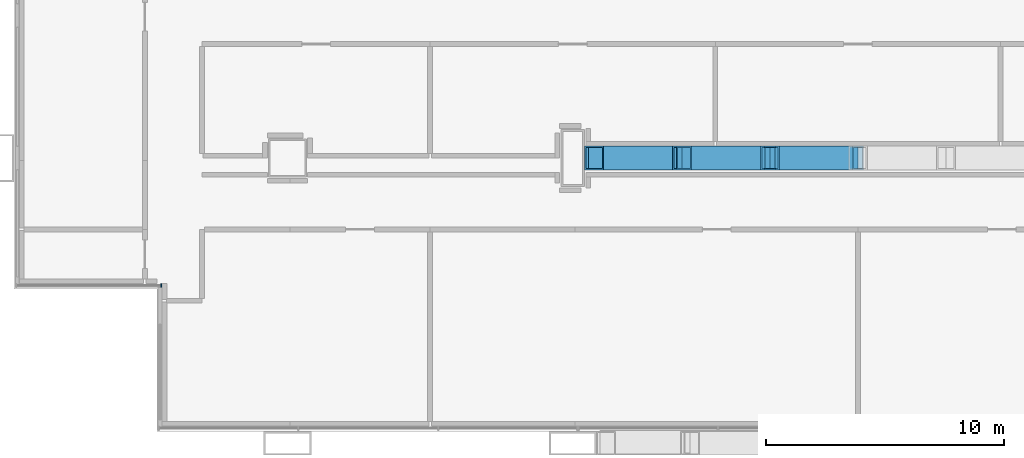
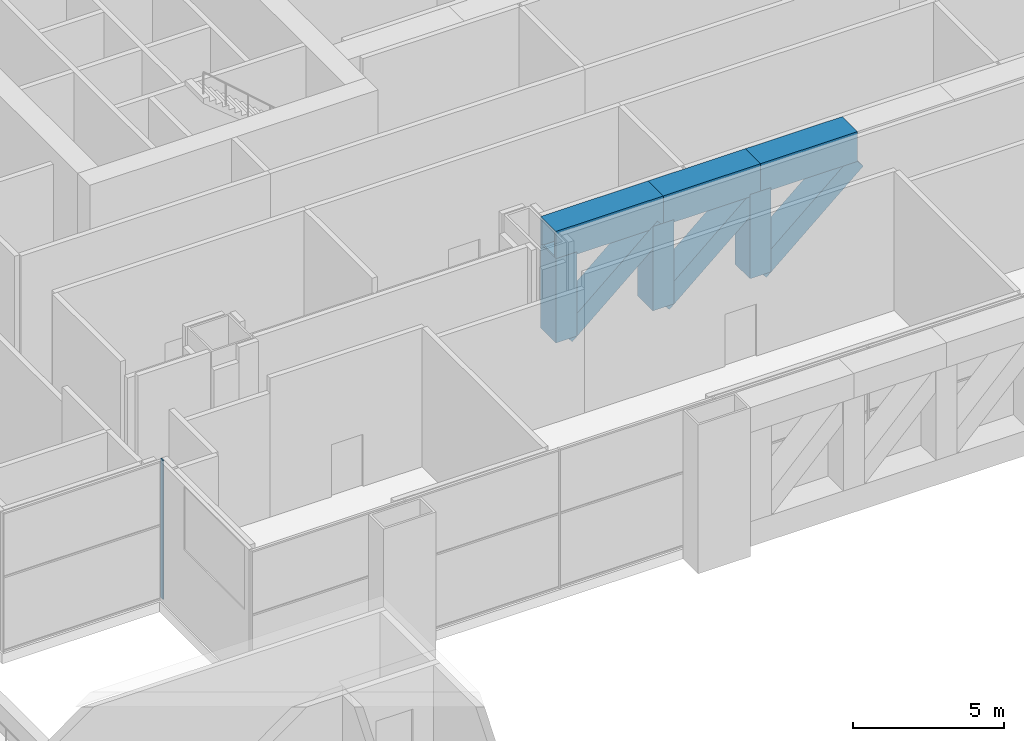
# One storey, part 7 of 27: 7 members, 3 beams, 1 element without a shape of its own.
"""IFC4 building model written with IfcOpenShell, lengths in metres."""

from ifc_helpers import new_model, si_unit, direction, frame, origin, origin_2d, place, context, subcontext, project, spatial, rectangle, hollow_rectangle, extrude, material, material_profile, profile_set, type_object, element, aggregate, save


model = new_model("IFC4")

# Units and contexts
model_context = context("Model", 3, precision=1e-05, world=origin(), true_north=direction((0.0, 1.0)))
body_context = subcontext(model_context, "Body", "Model", "MODEL_VIEW")
ifc_project = project(units=[si_unit("LENGTHUNIT", "METRE"), si_unit("AREAUNIT", "SQUARE_METRE"), si_unit("VOLUMEUNIT", "CUBIC_METRE"), si_unit("PLANEANGLEUNIT", "RADIAN"), si_unit("MASSUNIT", "GRAM", prefix="KILO")], contexts=[model_context])

# Site, building, storey
site_placement = place(None, origin())
site = spatial("IfcSite", under=ifc_project, at=site_placement, CompositionType="ELEMENT")
building_placement = place(site_placement, origin())
building = spatial("IfcBuilding", under=site, at=building_placement, Name="Kitamizu Gate Tower and Museum", CompositionType="ELEMENT")
storey_placement = place(building_placement, frame((0.0, 0.0, 24.0)))
storey = spatial("IfcBuildingStorey", under=building, at=storey_placement, Name="L04", CompositionType="ELEMENT", Elevation=24.0)

# Curtain wall, member
ifc_material_1 = material(Name="Bronze anodised aluminium frame, tinted triple glazing", Category="aluminium")
curtain_wall_type = type_object("IfcCurtainWallType", Name="CURTAIN WALL TYPE F TRANSFER STOREY", PredefinedType="NOTDEFINED", material=ifc_material_1)
curtain_wall_placement = place(storey_placement, origin())
curtain_wall = element("IfcCurtainWall", 1, at=curtain_wall_placement, inside=storey, type_object=curtain_wall_type, Name="Curtain wall CW-F south L04", PredefinedType="NOTDEFINED")
ifc_material_2 = material(Name="Bronze anodised aluminium", Category="aluminium")
ifc_material_profile_1 = material_profile(ifc_material_2, rectangle(XDim=0.050048828125, YDim=0.14990234375, at=origin_2d()), Name="AL 50X150")
ifc_profile_set_1 = profile_set([ifc_material_profile_1], Name="Bronze anodised aluminium")
member_type_1 = type_object("IfcMemberType", Name="MULLION 50 X 150 TYPE F", PredefinedType="MULLION", material=ifc_profile_set_1)
member_placement = place(storey_placement, frame((6.68505859375, 6.635009765625, 0.0), z_axis=(0.0, 0.0, 1.0), x_axis=(1.0, 0.0, 0.0)))
member = element("IfcMember", 2, at=member_placement, type_object=member_type_1, Name="CW-F mullion 2", PredefinedType="MULLION", context=body_context, shape_type="SweptSolid", body=[
    extrude(rectangle(XDim=0.050048828125, YDim=0.14990234375, at=origin_2d()), origin(), (0.0, 0.0, 1.0), 5.60009765625),
])
aggregate(curtain_wall, [member])

# Beams
ifc_material_3 = material(Name="Steel SM490A", Category="steel")
ifc_material_profile_2 = material_profile(ifc_material_3, hollow_rectangle(XDim=1.0, YDim=1.199951171875, WallThickness=0.080078125, at=origin_2d()), Name="BOX 1000x1200x80")
ifc_profile_set_2 = profile_set([ifc_material_profile_2], Name="Steel SM490A")
beam_type = type_object("IfcBeamType", Name="Transfer truss chord TTA1 BOX 1000x1200x80", PredefinedType="BEAM", material=ifc_profile_set_2)
beam_placement = place(storey_placement, frame((24.5, 12.0, 5.0), z_axis=(1.0, 0.0, 0.0), x_axis=(0.0, 1.0, 0.0)))
element("IfcBeam", 3, at=beam_placement, inside=storey, type_object=beam_type, Name="Transfer truss top chord y12-1", PredefinedType="BEAM", context=body_context, shape_type="SweptSolid", body=[
    extrude(hollow_rectangle(XDim=1.0, YDim=1.199951171875, WallThickness=0.080078125, at=origin_2d()), origin(), (0.0, 0.0, 1.0), 4.10009765625),
])
for number, where, z_axis, x_axis, name in (
    (4, (28.60009765625, 12.0, 5.0), (1.0, 0.0, 0.0), (0.0, 1.0, 0.0), "Transfer truss top chord y12-2"),
    (5, (32.300048828125, 12.0, 5.0), (1.0, 0.0, 0.0), (0.0, 1.0, 0.0), "Transfer truss top chord y12-3"),
):
    element("IfcBeam", number, at=place(storey_placement, frame(where, z_axis=z_axis, x_axis=x_axis)), inside=storey, type_object=beam_type, Name=name, PredefinedType="BEAM", context=body_context, shape_type="SweptSolid", body=[
        extrude(hollow_rectangle(XDim=1.0, YDim=1.199951171875, WallThickness=0.080078125, at=origin_2d()), origin(), (0.0, 0.0, 1.0), 3.699951171875),
    ])

# Members
ifc_material_4 = material(Name="Steel SM490A", Category="steel")
ifc_material_profile_3 = material_profile(ifc_material_4, hollow_rectangle(XDim=1.0, YDim=0.699951171875, WallThickness=0.055908203125, at=origin_2d()), Name="BOX 1000x700x56")
ifc_profile_set_3 = profile_set([ifc_material_profile_3], Name="Steel SM490A")
member_type_2 = type_object("IfcMemberType", Name="Transfer truss diagonal TTA2 BOX 1000x700x56", PredefinedType="BRACE", material=ifc_profile_set_3)
for number, where, z_axis, x_axis, name in (
    (6, (24.89990234375, 12.0, 1.199951171875), (0.756385195184, 0.0, 0.654126468282), (0.0, 1.0, 0.0), "Transfer truss diagonal y12-1"),
    (7, (28.60009765625, 12.0, 1.199951171875), (0.756363839845, 0.0, 0.654151161257), (0.0, 1.0, 0.0), "Transfer truss diagonal y12-2"),
    (8, (32.300048828125, 12.0, 1.199951171875), (0.756363839845, 0.0, 0.654151161257), (0.0, 1.0, 0.0), "Transfer truss diagonal y12-3"),
):
    element("IfcMember", number, at=place(storey_placement, frame(where, z_axis=z_axis, x_axis=x_axis)), inside=storey, type_object=member_type_2, Name=name, PredefinedType="BRACE", context=body_context, shape_type="SweptSolid", body=[
        extrude(hollow_rectangle(XDim=1.0, YDim=0.699951171875, WallThickness=0.055908203125, at=origin_2d()), origin(), (0.0, 0.0, 1.0), 4.891845703125),
    ])
ifc_material_5 = material(Name="Steel SM490A", Category="steel")
ifc_material_profile_4 = material_profile(ifc_material_5, hollow_rectangle(XDim=0.800048828125, YDim=1.0, WallThickness=0.055908203125, at=origin_2d()), Name="BOX 800x1000x56")
ifc_profile_set_4 = profile_set([ifc_material_profile_4], Name="Steel SM490A")
member_type_3 = type_object("IfcMemberType", Name="Transfer truss post TTA3 BOX 800x1000x56", PredefinedType="POST", material=ifc_profile_set_4)
for number, where, z_axis, x_axis, name in (
    (9, (24.89990234375, 12.0, 1.10009765625), (0.0, 0.0, 1.0), (1.0, 0.0, 0.0), "Transfer truss post y12-1"),
    (10, (28.60009765625, 12.0, 1.10009765625), (0.0, 0.0, 1.0), (1.0, 0.0, 0.0), "Transfer truss post y12-2"),
    (11, (32.300048828125, 12.0, 1.10009765625), (0.0, 0.0, 1.0), (1.0, 0.0, 0.0), "Transfer truss post y12-3"),
):
    element("IfcMember", number, at=place(storey_placement, frame(where, z_axis=z_axis, x_axis=x_axis)), inside=storey, type_object=member_type_3, Name=name, PredefinedType="POST", context=body_context, shape_type="SweptSolid", body=[
        extrude(hollow_rectangle(XDim=0.800048828125, YDim=1.0, WallThickness=0.055908203125, at=origin_2d()), origin(), (0.0, 0.0, 1.0), 3.39990234375),
    ])

save(model, "model.ifc")
